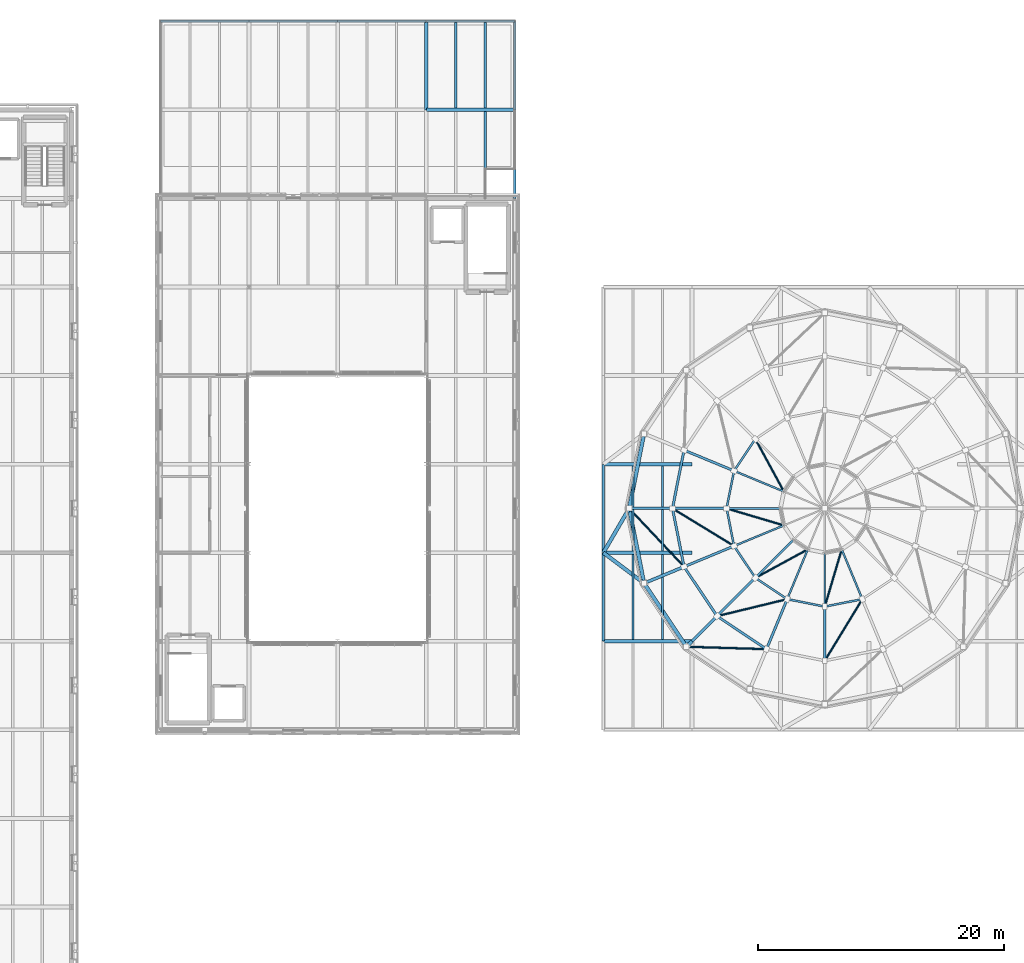
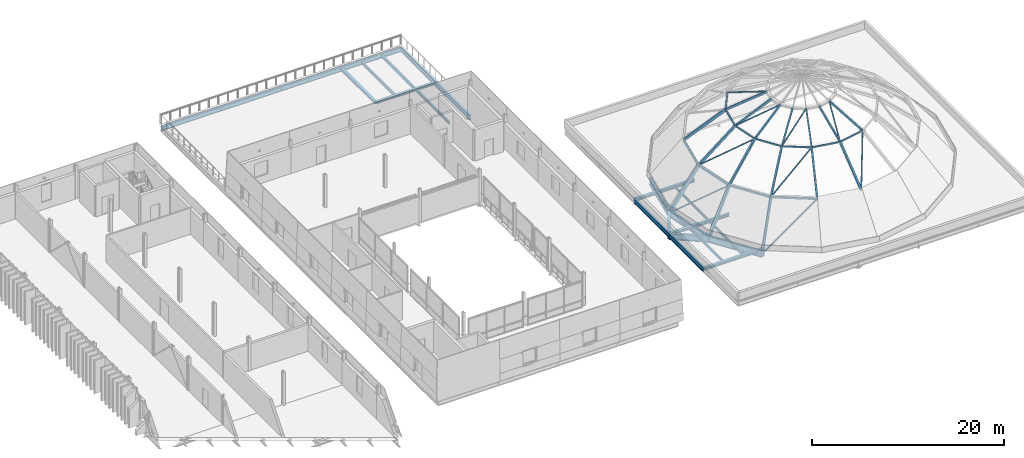
# One storey, part 13 of 66: 36 members, 26 beams.
"""IFC4 building model written with IfcOpenShell, lengths in metres."""

from ifc_helpers import new_model, si_unit, direction, frame, origin, origin_2d, place, context, subcontext, project, spatial, hollow_rectangle, hollow_circle, i_section, extrude, material, material_profile, profile_set, type_object, element, save


model = new_model("IFC4")

# Units and contexts
model_context = context("Model", 3, precision=1e-05, world=origin(), true_north=direction((0.0, 1.0)))
body_context = subcontext(model_context, "Body", "Model", "MODEL_VIEW")
ifc_project = project(units=[si_unit("LENGTHUNIT", "METRE"), si_unit("AREAUNIT", "SQUARE_METRE"), si_unit("VOLUMEUNIT", "CUBIC_METRE"), si_unit("PLANEANGLEUNIT", "RADIAN"), si_unit("MASSUNIT", "GRAM", prefix="KILO")], contexts=[model_context])

# Site, building, storey
site_placement = place(None, origin())
site = spatial("IfcSite", under=ifc_project, at=site_placement, CompositionType="ELEMENT")
building_placement = place(site_placement, origin())
building = spatial("IfcBuilding", under=site, at=building_placement, Name="Narikvali Park Central Library", CompositionType="ELEMENT")
storey_placement = place(building_placement, frame((0.0, 0.0, 18.60009765625)))
storey = spatial("IfcBuildingStorey", under=building, at=storey_placement, Name="L04", CompositionType="ELEMENT", Elevation=18.60009765625)

# Beams
ifc_material = material(Name="Steel S355", Category="steel")
ifc_material_profile_1 = material_profile(ifc_material, i_section(OverallWidth=0.300048828125, OverallDepth=0.800048828125, WebThickness=0.017578125, FlangeThickness=0.032958984375, FilletRadius=0.030029296875, at=origin_2d()), Name="HEB 800")
ifc_profile_set_1 = profile_set([ifc_material_profile_1], Name="Steel S355")
beam_type_1 = type_object("IfcBeamType", Name="Auditorium Long-Span Girder HEB800", PredefinedType="BEAM", material=ifc_profile_set_1)
beam_1_placement = place(storey_placement, frame((68.1103515625, 81.684814453125, -0.650146484375), z_axis=(-0.195109516878, -0.980781462113, 0.0), x_axis=(0.980781462113, -0.195109516878, 0.0)))
element("IfcBeam", 1, at=beam_1_placement, inside=storey, type_object=beam_type_1, Name="Dome Tension Ring Beam Segment 08", PredefinedType="BEAM", context=body_context, shape_type="SweptSolid", body=[
    extrude(i_section(OverallWidth=0.300048828125, OverallDepth=0.800048828125, WebThickness=0.017578125, FlangeThickness=0.032958984375, FilletRadius=0.030029296875, at=origin_2d()), origin(), (0.0, 0.0, 1.0), 6.203857421875),
])
beam_2_placement = place(storey_placement, frame((64.800048828125, 72.0, -0.650146484375), z_axis=(0.503834603144, 0.863800146258, 0.0), x_axis=(-0.863800146258, 0.503834603144, 0.0)))
element("IfcBeam", 2, at=beam_2_placement, inside=storey, type_object=beam_type_1, Name="Dome Radial Ring Support Girder 09", PredefinedType="BEAM", context=body_context, shape_type="SweptSolid", body=[
    extrude(i_section(OverallWidth=0.300048828125, OverallDepth=0.800048828125, WebThickness=0.017578125, FlangeThickness=0.032958984375, FilletRadius=0.030029296875, at=origin_2d()), origin(), (0.0, 0.0, 1.0), 4.167724609375),
])
beam_3_placement = place(storey_placement, frame((66.89990234375, 75.60009765625, -0.650146484375), z_axis=(0.195109516878, -0.980781462113, 0.0), x_axis=(0.980781462113, 0.195109516878, 0.0)))
element("IfcBeam", 3, at=beam_3_placement, inside=storey, type_object=beam_type_1, Name="Dome Tension Ring Beam Segment 09", PredefinedType="BEAM", context=body_context, shape_type="SweptSolid", body=[
    extrude(i_section(OverallWidth=0.300048828125, OverallDepth=0.800048828125, WebThickness=0.017578125, FlangeThickness=0.032958984375, FilletRadius=0.030029296875, at=origin_2d()), origin(), (0.0, 0.0, 1.0), 6.203857421875),
])
beam_4_placement = place(storey_placement, frame((64.800048828125, 72.0, -0.650146484375), z_axis=(0.799780521506, -0.60029252654, 0.0), x_axis=(0.60029252654, 0.799780521506, 0.0)))
element("IfcBeam", 4, at=beam_4_placement, inside=storey, type_object=beam_type_1, Name="Dome Radial Ring Support Girder 10", PredefinedType="BEAM", context=body_context, shape_type="SweptSolid", body=[
    extrude(i_section(OverallWidth=0.300048828125, OverallDepth=0.800048828125, WebThickness=0.017578125, FlangeThickness=0.032958984375, FilletRadius=0.030029296875, at=origin_2d()), origin(), (0.0, 0.0, 1.0), 4.138916015625),
])
beam_5_placement = place(storey_placement, frame((68.1103515625, 69.515380859375, -0.650146484375), z_axis=(0.555544483624, -0.831486816922, 0.0), x_axis=(0.831486816922, 0.555544483624, 0.0)))
element("IfcBeam", 5, at=beam_5_placement, inside=storey, type_object=beam_type_1, Name="Dome Tension Ring Beam Segment 10", PredefinedType="BEAM", context=body_context, shape_type="SweptSolid", body=[
    extrude(i_section(OverallWidth=0.300048828125, OverallDepth=0.800048828125, WebThickness=0.017578125, FlangeThickness=0.032958984375, FilletRadius=0.030029296875, at=origin_2d()), origin(), (0.0, 0.0, 1.0), 6.203857421875),
])
beam_6_placement = place(storey_placement, frame((72.0, 64.800048828125, -0.650146484375), z_axis=(-0.707106781187, -0.707106781187, 0.0), x_axis=(0.707106781187, -0.707106781187, 0.0)))
element("IfcBeam", 6, at=beam_6_placement, inside=storey, type_object=beam_type_1, Name="Dome Radial Ring Support Girder 11", PredefinedType="BEAM", context=body_context, shape_type="SweptSolid", body=[
    extrude(i_section(OverallWidth=0.300048828125, OverallDepth=0.800048828125, WebThickness=0.017578125, FlangeThickness=0.032958984375, FilletRadius=0.030029296875, at=origin_2d()), origin(), (0.0, 0.0, 1.0), 0.626708984375),
])
ifc_material_profile_2 = material_profile(ifc_material, i_section(OverallWidth=0.14990234375, OverallDepth=0.300048828125, WebThickness=0.007080078125, FlangeThickness=0.0107421875, FilletRadius=0.014892578125, at=origin_2d()), Name="IPE 300")
ifc_profile_set_2 = profile_set([ifc_material_profile_2], Name="Steel S355")
beam_type_2 = type_object("IfcBeamType", Name="Composite Floor Joist IPE300", PredefinedType="JOIST", material=ifc_profile_set_2)
for number, where, z_axis, x_axis, name in (
    (7, (67.199951171875, 64.949951171875, -0.39013671875), (0.0, 1.0, 0.0), (-1.0, 0.0, 0.0), "V1 L04 Composite Joist 1"),
    (8, (69.60009765625, 64.949951171875, -0.39013671875), (0.0, 1.0, 0.0), (-1.0, 0.0, 0.0), "V1 L04 Composite Joist 2"),
    (9, (67.199951171875, 72.14990234375, -0.39013671875), (0.0, 1.0, 0.0), (-1.0, 0.0, 0.0), "V1 L04 Composite Joist 1"),
    (10, (69.60009765625, 72.14990234375, -0.39013671875), (0.0, 1.0, 0.0), (-1.0, 0.0, 0.0), "V1 L04 Composite Joist 2"),
):
    element("IfcBeam", number, at=place(storey_placement, frame(where, z_axis=z_axis, x_axis=x_axis)), inside=storey, type_object=beam_type_2, Name=name, PredefinedType="JOIST", context=body_context, shape_type="SweptSolid", body=[
        extrude(i_section(OverallWidth=0.14990234375, OverallDepth=0.300048828125, WebThickness=0.007080078125, FlangeThickness=0.0107421875, FilletRadius=0.014892578125, at=origin_2d()), origin(), (0.0, 0.0, 1.0), 6.900146484375),
    ])
ifc_material_profile_3 = material_profile(ifc_material, i_section(OverallWidth=0.169921875, OverallDepth=0.360107421875, WebThickness=0.008056640625, FlangeThickness=0.0126953125, FilletRadius=0.01806640625, at=origin_2d()), Name="IPE 360")
ifc_profile_set_3 = profile_set([ifc_material_profile_3], Name="Steel S355")
beam_type_3 = type_object("IfcBeamType", Name="Composite Floor Joist IPE360", PredefinedType="JOIST", material=ifc_profile_set_3)
beam_7_placement = place(storey_placement, frame((55.199951171875, 100.949951171875, -0.52001953125), z_axis=(0.0, 1.0, 0.0), x_axis=(-1.0, 0.0, 0.0)))
element("IfcBeam", 11, at=beam_7_placement, inside=storey, type_object=beam_type_3, Name="V4 L04 Composite Joist 2", PredefinedType="JOIST", context=body_context, shape_type="SweptSolid", body=[
    extrude(i_section(OverallWidth=0.169921875, OverallDepth=0.360107421875, WebThickness=0.008056640625, FlangeThickness=0.0126953125, FilletRadius=0.01806640625, at=origin_2d()), origin(), (0.0, 0.0, 1.0), 6.900146484375),
])
for number, where, z_axis, x_axis, name in (
    (12, (52.800048828125, 108.14990234375, -0.52001953125), (0.0, 1.0, 0.0), (-1.0, 0.0, 0.0), "V4 L04 Composite Joist 1"),
    (13, (55.199951171875, 108.14990234375, -0.52001953125), (0.0, 1.0, 0.0), (-1.0, 0.0, 0.0), "V4 L04 Composite Joist 2"),
):
    element("IfcBeam", number, at=place(storey_placement, frame(where, z_axis=z_axis, x_axis=x_axis)), inside=storey, type_object=beam_type_3, Name=name, PredefinedType="JOIST", context=body_context, shape_type="SweptSolid", body=[
        extrude(i_section(OverallWidth=0.169921875, OverallDepth=0.360107421875, WebThickness=0.008056640625, FlangeThickness=0.0126953125, FilletRadius=0.01806640625, at=origin_2d()), origin(), (0.0, 0.0, 1.0), 6.945068359375),
    ])

# Members
ifc_material_profile_4 = material_profile(ifc_material, hollow_rectangle(XDim=0.25, YDim=0.35009765625, WallThickness=0.012451171875, at=origin_2d()), Name="RHS 350x250x12.5")
ifc_profile_set_4 = profile_set([ifc_material_profile_4], Name="Steel S355")
member_type_1 = type_object("IfcMemberType", Name="Dome Base Arch Rib RHS350x250", PredefinedType="STRUT", material=ifc_profile_set_4)
for number, where, z_axis, x_axis, name in (
    (14, (68.1103515625, 69.515380859375, -0.650146484375), (0.544119487971, 0.225368409545, 0.80817266892), (-0.382664211899, 0.923887493655, 0.0), "Main Reading Room Dome Meridional Rib T1-10"),
    (15, (71.556884765625, 64.35693359375, -0.650146484375), (0.416458142345, 0.416458142345, 0.808161636895), (-0.707106781187, 0.707106781187, 0.0), "Main Reading Room Dome Meridional Rib T1-11"),
):
    element("IfcMember", number, at=place(storey_placement, frame(where, z_axis=z_axis, x_axis=x_axis)), inside=storey, type_object=member_type_1, Name=name, PredefinedType="STRUT", context=body_context, shape_type="SweptSolid", body=[
        extrude(hollow_rectangle(XDim=0.25, YDim=0.35009765625, WallThickness=0.012451171875, at=origin_2d()), origin(), (0.0, 0.0, 1.0), 5.9765625),
    ])
ifc_material_profile_5 = material_profile(ifc_material, hollow_rectangle(XDim=0.199951171875, YDim=0.39990234375, WallThickness=0.01416015625, at=origin_2d()), Name="RHS 400x200x14.2")
ifc_profile_set_5 = profile_set([ifc_material_profile_5], Name="Steel S355")
member_type_2 = type_object("IfcMemberType", Name="Dome Cardinal Base Rib RHS400x200", PredefinedType="STRUT", material=ifc_profile_set_5)
member_1_placement = place(storey_placement, frame((66.89990234375, 75.60009765625, -0.650146484375), z_axis=(0.588963227106, 0.0, 0.808159833892), x_axis=(0.0, 1.0, 0.0)))
element("IfcMember", 16, at=member_1_placement, inside=storey, type_object=member_type_2, Name="Main Reading Room Dome Meridional Rib T1-09", PredefinedType="STRUT", context=body_context, shape_type="SweptSolid", body=[
    extrude(hollow_rectangle(XDim=0.199951171875, YDim=0.39990234375, WallThickness=0.01416015625, at=origin_2d()), origin(), (0.0, 0.0, 1.0), 5.9765625),
])
ifc_material_profile_6 = material_profile(ifc_material, hollow_rectangle(XDim=0.199951171875, YDim=0.199951171875, WallThickness=0.012451171875, at=origin_2d()), Name="SHS 200x200x12.5")
ifc_profile_set_6 = profile_set([ifc_material_profile_6], Name="Steel S355")
member_type_3 = type_object("IfcMemberType", Name="Dome Hoop Ring Purlin SHS200x200", PredefinedType="PURLIN", material=ifc_profile_set_6)
member_2_placement = place(storey_placement, frame((71.3623046875, 80.337646484375, 4.179931640625), z_axis=(-0.195095451873, -0.980784259997, 0.0), x_axis=(0.980784259997, -0.195095451873, 0.0)))
element("IfcMember", 17, at=member_2_placement, inside=storey, type_object=member_type_3, Name="Main Reading Room Dome Hoop Ring T1-08", PredefinedType="PURLIN", context=body_context, shape_type="SweptSolid", body=[
    extrude(hollow_rectangle(XDim=0.199951171875, YDim=0.199951171875, WallThickness=0.012451171875, at=origin_2d()), origin(), (0.0, 0.0, 1.0), 4.830322265625),
])
member_3_placement = place(storey_placement, frame((70.419921875, 75.60009765625, 4.179931640625), z_axis=(0.19508578114, -0.980786183629, 0.0), x_axis=(0.980786183629, 0.19508578114, 0.0)))
element("IfcMember", 18, at=member_3_placement, inside=storey, type_object=member_type_3, Name="Main Reading Room Dome Hoop Ring T1-09", PredefinedType="PURLIN", context=body_context, shape_type="SweptSolid", body=[
    extrude(hollow_rectangle(XDim=0.199951171875, YDim=0.199951171875, WallThickness=0.012451171875, at=origin_2d()), origin(), (0.0, 0.0, 1.0), 4.83056640625),
])
member_4_placement = place(storey_placement, frame((71.3623046875, 70.8623046875, 4.179931640625), z_axis=(0.55556300793, -0.831474439907, 0.0), x_axis=(0.831474439907, 0.55556300793, 0.0)))
element("IfcMember", 19, at=member_4_placement, inside=storey, type_object=member_type_3, Name="Main Reading Room Dome Hoop Ring T1-10", PredefinedType="PURLIN", context=body_context, shape_type="SweptSolid", body=[
    extrude(hollow_rectangle(XDim=0.199951171875, YDim=0.199951171875, WallThickness=0.012451171875, at=origin_2d()), origin(), (0.0, 0.0, 1.0), 4.830322265625),
])
member_5_placement = place(storey_placement, frame((74.0458984375, 66.845947265625, 4.179931640625), z_axis=(0.831490038875, -0.555539661276, 0.0), x_axis=(0.555539661276, 0.831490038875, 0.0)))
element("IfcMember", 20, at=member_5_placement, inside=storey, type_object=member_type_3, Name="Main Reading Room Dome Hoop Ring T1-11", PredefinedType="PURLIN", context=body_context, shape_type="SweptSolid", body=[
    extrude(hollow_rectangle(XDim=0.199951171875, YDim=0.199951171875, WallThickness=0.012451171875, at=origin_2d()), origin(), (0.0, 0.0, 1.0), 4.83056640625),
])
ifc_material_profile_7 = material_profile(ifc_material, hollow_circle(Radius=0.084228515625, WallThickness=0.010009765625, at=origin_2d()), Name="CHS 168.3x10")
ifc_profile_set_7 = profile_set([ifc_material_profile_7], Name="Steel S355")
member_type_4 = type_object("IfcMemberType", Name="Dome Lower Wind Brace CHS168x10", PredefinedType="BRACE", material=ifc_profile_set_7)
for number, where, z_axis, x_axis, name in (
    (21, (66.89990234375, 75.60009765625, -0.650146484375), (0.550580938083, -0.584559234294, 0.595945578238), (0.72794665483, 0.685633770844, 0.0), "Dome Wind Diagonal Brace T1-09"),
    (22, (71.556884765625, 64.35693359375, -0.650146484375), (0.802669829609, -0.024007500064, 0.595940252523), (0.029896188997, 0.999553009041, 0.0), "Dome Wind Diagonal Brace T1-11"),
):
    element("IfcMember", number, at=place(storey_placement, frame(where, z_axis=z_axis, x_axis=x_axis)), inside=storey, type_object=member_type_4, Name=name, PredefinedType="BRACE", context=body_context, shape_type="SweptSolid", body=[
        extrude(hollow_circle(Radius=0.084228515625, WallThickness=0.010009765625, at=origin_2d()), origin(), (0.0, 0.0, 1.0), 8.10498046875),
    ])
ifc_material_profile_8 = material_profile(ifc_material, hollow_rectangle(XDim=0.199951171875, YDim=0.300048828125, WallThickness=0.012451171875, at=origin_2d()), Name="RHS 300x200x12.5")
ifc_profile_set_8 = profile_set([ifc_material_profile_8], Name="Steel S355")
member_type_5 = type_object("IfcMemberType", Name="Dome Meridional Arch Rib RHS300x200", PredefinedType="STRUT", material=ifc_profile_set_8)
member_6_placement = place(storey_placement, frame((71.3623046875, 80.337646484375, 4.179931640625), z_axis=(0.726245955882, -0.300817870261, 0.618122496352), x_axis=(0.382680115921, 0.92388090622, 0.0)))
element("IfcMember", 23, at=member_6_placement, inside=storey, type_object=member_type_5, Name="Main Reading Room Dome Meridional Rib T2-08", PredefinedType="STRUT", context=body_context, shape_type="SweptSolid", body=[
    extrude(hollow_rectangle(XDim=0.199951171875, YDim=0.300048828125, WallThickness=0.012451171875, at=origin_2d()), origin(), (0.0, 0.0, 1.0), 5.597412109375),
])
member_7_placement = place(storey_placement, frame((70.419921875, 75.60009765625, 4.179931640625), z_axis=(0.786083693581, 0.0, 0.618120074651), x_axis=(0.0, 1.0, 0.0)))
element("IfcMember", 24, at=member_7_placement, inside=storey, type_object=member_type_5, Name="Main Reading Room Dome Meridional Rib T2-09", PredefinedType="STRUT", context=body_context, shape_type="SweptSolid", body=[
    extrude(hollow_rectangle(XDim=0.199951171875, YDim=0.300048828125, WallThickness=0.012451171875, at=origin_2d()), origin(), (0.0, 0.0, 1.0), 5.59765625),
])
for number, where, z_axis, x_axis, name in (
    (25, (71.3623046875, 70.8623046875, 4.179931640625), (0.726245955882, 0.300817870261, 0.618122496352), (-0.382680115921, 0.92388090622, 0.0), "Main Reading Room Dome Meridional Rib T2-10"),
    (26, (74.0458984375, 66.845947265625, 4.179931640625), (0.555842018751, 0.555842018751, 0.618125634788), (-0.707106781187, 0.707106781187, 0.0), "Main Reading Room Dome Meridional Rib T2-11"),
):
    element("IfcMember", number, at=place(storey_placement, frame(where, z_axis=z_axis, x_axis=x_axis)), inside=storey, type_object=member_type_5, Name=name, PredefinedType="STRUT", context=body_context, shape_type="SweptSolid", body=[
        extrude(hollow_rectangle(XDim=0.199951171875, YDim=0.300048828125, WallThickness=0.012451171875, at=origin_2d()), origin(), (0.0, 0.0, 1.0), 5.597412109375),
    ])
member_8_placement = place(storey_placement, frame((78.0625, 64.162353515625, 4.179931640625), z_axis=(0.300787728371, 0.72623487201, 0.618150186554), x_axis=(-0.923892397959, 0.38265237095, 0.0)))
element("IfcMember", 27, at=member_8_placement, inside=storey, type_object=member_type_5, Name="Main Reading Room Dome Meridional Rib T2-12", PredefinedType="STRUT", context=body_context, shape_type="SweptSolid", body=[
    extrude(hollow_rectangle(XDim=0.199951171875, YDim=0.300048828125, WallThickness=0.012451171875, at=origin_2d()), origin(), (0.0, 0.0, 1.0), 5.59716796875),
])
member_9_placement = place(storey_placement, frame((82.800048828125, 63.219970703125, 4.179931640625), z_axis=(0.0, 0.786083693581, 0.618120074651), x_axis=(-1.0, 0.0, 0.0)))
element("IfcMember", 28, at=member_9_placement, inside=storey, type_object=member_type_5, Name="Main Reading Room Dome Meridional Rib T2-13", PredefinedType="STRUT", context=body_context, shape_type="SweptSolid", body=[
    extrude(hollow_rectangle(XDim=0.199951171875, YDim=0.300048828125, WallThickness=0.012451171875, at=origin_2d()), origin(), (0.0, 0.0, 1.0), 5.59765625),
])
ifc_material_profile_9 = material_profile(ifc_material, hollow_rectangle(XDim=0.14990234375, YDim=0.25, WallThickness=0.010009765625, at=origin_2d()), Name="RHS 250x150x10")
ifc_profile_set_9 = profile_set([ifc_material_profile_9], Name="Steel S355")
member_type_6 = type_object("IfcMemberType", Name="Dome Upper Arch Rib RHS250x150", PredefinedType="STRUT", material=ifc_profile_set_9)
member_10_placement = place(storey_placement, frame((75.427490234375, 78.65380859375, 7.639892578125), z_axis=(0.847586755563, -0.351051769348, 0.397943899354), x_axis=(0.38265537139, 0.923891155249, 0.0)))
element("IfcMember", 29, at=member_10_placement, inside=storey, type_object=member_type_6, Name="Main Reading Room Dome Meridional Rib T3-08", PredefinedType="STRUT", context=body_context, shape_type="SweptSolid", body=[
    extrude(hollow_rectangle(XDim=0.14990234375, YDim=0.25, WallThickness=0.010009765625, at=origin_2d()), origin(), (0.0, 0.0, 1.0), 4.7744140625),
])
member_11_placement = place(storey_placement, frame((74.820068359375, 75.60009765625, 7.639892578125), z_axis=(0.917406310036, 0.0, 0.397951834153), x_axis=(0.0, 1.0, 0.0)))
element("IfcMember", 30, at=member_11_placement, inside=storey, type_object=member_type_6, Name="Main Reading Room Dome Meridional Rib T3-09", PredefinedType="STRUT", context=body_context, shape_type="SweptSolid", body=[
    extrude(hollow_rectangle(XDim=0.14990234375, YDim=0.25, WallThickness=0.010009765625, at=origin_2d()), origin(), (0.0, 0.0, 1.0), 4.774169921875),
])
for number, where, z_axis, x_axis, name in (
    (31, (75.427490234375, 72.546142578125, 7.639892578125), (0.847571539374, 0.351096602675, 0.397936755319), (-0.382702948164, 0.923871448561, 0.0), "Main Reading Room Dome Meridional Rib T3-10"),
    (32, (77.1572265625, 69.957275390625, 7.639892578125), (0.648708307127, 0.648708307127, 0.397938518529), (-0.707106781187, 0.707106781187, 0.0), "Main Reading Room Dome Meridional Rib T3-11"),
    (33, (79.74609375, 68.227294921875, 7.639892578125), (0.351096602675, 0.847571539374, 0.397936755319), (-0.923871448561, 0.382702948164, 0.0), "Main Reading Room Dome Meridional Rib T3-12"),
):
    element("IfcMember", number, at=place(storey_placement, frame(where, z_axis=z_axis, x_axis=x_axis)), inside=storey, type_object=member_type_6, Name=name, PredefinedType="STRUT", context=body_context, shape_type="SweptSolid", body=[
        extrude(hollow_rectangle(XDim=0.14990234375, YDim=0.25, WallThickness=0.010009765625, at=origin_2d()), origin(), (0.0, 0.0, 1.0), 4.7744140625),
    ])
member_12_placement = place(storey_placement, frame((82.800048828125, 67.6201171875, 7.639892578125), z_axis=(0.0, 0.917406310036, 0.397951834153), x_axis=(-1.0, 0.0, 0.0)))
element("IfcMember", 34, at=member_12_placement, inside=storey, type_object=member_type_6, Name="Main Reading Room Dome Meridional Rib T3-13", PredefinedType="STRUT", context=body_context, shape_type="SweptSolid", body=[
    extrude(hollow_rectangle(XDim=0.14990234375, YDim=0.25, WallThickness=0.010009765625, at=origin_2d()), origin(), (0.0, 0.0, 1.0), 4.774169921875),
])
member_13_placement = place(storey_placement, frame((85.853759765625, 68.227294921875, 7.639892578125), z_axis=(-0.351051769348, 0.847586755563, 0.397943899354), x_axis=(-0.923891155249, -0.38265537139, 0.0)))
element("IfcMember", 35, at=member_13_placement, inside=storey, type_object=member_type_6, Name="Main Reading Room Dome Meridional Rib T3-14", PredefinedType="STRUT", context=body_context, shape_type="SweptSolid", body=[
    extrude(hollow_rectangle(XDim=0.14990234375, YDim=0.25, WallThickness=0.010009765625, at=origin_2d()), origin(), (0.0, 0.0, 1.0), 4.7744140625),
])
ifc_material_profile_10 = material_profile(ifc_material, hollow_rectangle(XDim=0.159912109375, YDim=0.159912109375, WallThickness=0.010009765625, at=origin_2d()), Name="SHS 160x160x10")
ifc_profile_set_10 = profile_set([ifc_material_profile_10], Name="Steel S355")
member_type_7 = type_object("IfcMemberType", Name="Dome Upper Hoop Purlin SHS160x160", PredefinedType="PURLIN", material=ifc_profile_set_10)
for number, where, z_axis, x_axis, name in (
    (36, (77.1572265625, 81.24267578125, 7.639892578125), (-0.555550377152, -0.831482879226, 0.0), (0.831482879226, -0.555550377152, 0.0), "Main Reading Room Dome Hoop Ring T2-07"),
    (37, (75.427490234375, 78.65380859375, 7.639892578125), (-0.195090631937, -0.980785218756, 0.0), (0.980785218756, -0.195090631937, 0.0), "Main Reading Room Dome Hoop Ring T2-08"),
):
    element("IfcMember", number, at=place(storey_placement, frame(where, z_axis=z_axis, x_axis=x_axis)), inside=storey, type_object=member_type_7, Name=name, PredefinedType="PURLIN", context=body_context, shape_type="SweptSolid", body=[
        extrude(hollow_rectangle(XDim=0.159912109375, YDim=0.159912109375, WallThickness=0.010009765625, at=origin_2d()), origin(), (0.0, 0.0, 1.0), 3.113525390625),
    ])
member_14_placement = place(storey_placement, frame((74.820068359375, 75.60009765625, 7.639892578125), z_axis=(0.195075629437, -0.980788202825, 0.0), x_axis=(0.980788202825, 0.195075629437, 0.0)))
element("IfcMember", 38, at=member_14_placement, inside=storey, type_object=member_type_7, Name="Main Reading Room Dome Hoop Ring T2-09", PredefinedType="PURLIN", context=body_context, shape_type="SweptSolid", body=[
    extrude(hollow_rectangle(XDim=0.159912109375, YDim=0.159912109375, WallThickness=0.010009765625, at=origin_2d()), origin(), (0.0, 0.0, 1.0), 3.11376953125),
])
member_15_placement = place(storey_placement, frame((75.427490234375, 72.546142578125, 7.639892578125), z_axis=(0.555550377152, -0.831482879226, 0.0), x_axis=(0.831482879226, 0.555550377152, 0.0)))
element("IfcMember", 39, at=member_15_placement, inside=storey, type_object=member_type_7, Name="Main Reading Room Dome Hoop Ring T2-10", PredefinedType="PURLIN", context=body_context, shape_type="SweptSolid", body=[
    extrude(hollow_rectangle(XDim=0.159912109375, YDim=0.159912109375, WallThickness=0.010009765625, at=origin_2d()), origin(), (0.0, 0.0, 1.0), 3.113525390625),
])
for number, where, z_axis, x_axis, name in (
    (40, (77.1572265625, 69.957275390625, 7.639892578125), (0.831446658044, -0.555604584959, 0.0), (0.555604584959, 0.831446658044, 0.0), "Main Reading Room Dome Hoop Ring T2-11"),
    (41, (79.74609375, 68.227294921875, 7.639892578125), (0.980803201523, -0.195000204827, 0.0), (0.195000204827, 0.980803201523, 0.0), "Main Reading Room Dome Hoop Ring T2-12"),
):
    element("IfcMember", number, at=place(storey_placement, frame(where, z_axis=z_axis, x_axis=x_axis)), inside=storey, type_object=member_type_7, Name=name, PredefinedType="PURLIN", context=body_context, shape_type="SweptSolid", body=[
        extrude(hollow_rectangle(XDim=0.159912109375, YDim=0.159912109375, WallThickness=0.010009765625, at=origin_2d()), origin(), (0.0, 0.0, 1.0), 3.11376953125),
    ])
member_16_placement = place(storey_placement, frame((82.800048828125, 67.6201171875, 7.639892578125), z_axis=(0.980800219716, 0.195015201985, 0.0), x_axis=(-0.195015201985, 0.980800219716, 0.0)))
element("IfcMember", 42, at=member_16_placement, inside=storey, type_object=member_type_7, Name="Main Reading Room Dome Hoop Ring T2-13", PredefinedType="PURLIN", context=body_context, shape_type="SweptSolid", body=[
    extrude(hollow_rectangle(XDim=0.159912109375, YDim=0.159912109375, WallThickness=0.010009765625, at=origin_2d()), origin(), (0.0, 0.0, 1.0), 3.113525390625),
])
ifc_material_profile_11 = material_profile(ifc_material, hollow_circle(Radius=0.084228515625, WallThickness=0.008056640625, at=origin_2d()), Name="CHS 168.3x8")
ifc_profile_set_11 = profile_set([ifc_material_profile_11], Name="Steel S355")
member_type_8 = type_object("IfcMemberType", Name="Dome Wind Diagonal Brace CHS168", PredefinedType="BRACE", material=ifc_profile_set_11)
member_17_placement = place(storey_placement, frame((70.419921875, 75.60009765625, 4.179931640625), z_axis=(0.735344681275, -0.448463098731, 0.508083702551), x_axis=(0.520676988723, 0.853753754553, 0.0)))
element("IfcMember", 43, at=member_17_placement, inside=storey, type_object=member_type_8, Name="Dome Wind Diagonal Brace T2-09", PredefinedType="BRACE", context=body_context, shape_type="SweptSolid", body=[
    extrude(hollow_circle(Radius=0.084228515625, WallThickness=0.008056640625, at=origin_2d()), origin(), (0.0, 0.0, 1.0), 6.809814453125),
])
for number, where, z_axis, x_axis, name in (
    (44, (74.0458984375, 66.845947265625, 4.179931640625), (0.837072997569, 0.202850737547, 0.508094848447), (-0.235516629506, 0.971870319141, 0.0), "Dome Wind Diagonal Brace T2-11"),
    (45, (82.800048828125, 63.219970703125, 4.179931640625), (0.448446279819, 0.735340038302, 0.508105266836), (-0.853760973576, 0.520665151511, 0.0), "Dome Wind Diagonal Brace T2-13"),
):
    element("IfcMember", number, at=place(storey_placement, frame(where, z_axis=z_axis, x_axis=x_axis)), inside=storey, type_object=member_type_8, Name=name, PredefinedType="BRACE", context=body_context, shape_type="SweptSolid", body=[
        extrude(hollow_circle(Radius=0.084228515625, WallThickness=0.008056640625, at=origin_2d()), origin(), (0.0, 0.0, 1.0), 6.8095703125),
    ])
for number, where, z_axis, x_axis, name in (
    (46, (77.1572265625, 81.24267578125, 7.639892578125), (0.444514487092, -0.8182532745, 0.364511247476), (0.878709370718, 0.477357142831, 0.0), "Dome Wind Diagonal Brace T3-07"),
    (47, (74.820068359375, 75.60009765625, 7.639892578125), (0.89290167708, -0.264315383925, 0.364505106806), (0.283843416699, 0.958870645497, 0.0), "Dome Wind Diagonal Brace T3-09"),
):
    element("IfcMember", number, at=place(storey_placement, frame(where, z_axis=z_axis, x_axis=x_axis)), inside=storey, type_object=member_type_8, Name=name, PredefinedType="BRACE", context=body_context, shape_type="SweptSolid", body=[
        extrude(hollow_circle(Radius=0.084228515625, WallThickness=0.008056640625, at=origin_2d()), origin(), (0.0, 0.0, 1.0), 5.212158203125),
    ])
member_18_placement = place(storey_placement, frame((77.1572265625, 69.957275390625, 7.639892578125), z_axis=(0.818285788191, 0.444459865149, 0.364504865696), x_axis=(-0.477297204763, 0.878741929309, 0.0)))
element("IfcMember", 48, at=member_18_placement, inside=storey, type_object=member_type_8, Name="Dome Wind Diagonal Brace T3-11", PredefinedType="BRACE", context=body_context, shape_type="SweptSolid", body=[
    extrude(hollow_circle(Radius=0.084228515625, WallThickness=0.008056640625, at=origin_2d()), origin(), (0.0, 0.0, 1.0), 5.21240234375),
])
member_19_placement = place(storey_placement, frame((82.800048828125, 67.6201171875, 7.639892578125), z_axis=(0.264326438813, 0.892892180869, 0.364520352089), x_axis=(-0.958866592672, 0.283857107462, 0.0)))
element("IfcMember", 49, at=member_19_placement, inside=storey, type_object=member_type_8, Name="Dome Wind Diagonal Brace T3-13", PredefinedType="BRACE", context=body_context, shape_type="SweptSolid", body=[
    extrude(hollow_circle(Radius=0.084228515625, WallThickness=0.008056640625, at=origin_2d()), origin(), (0.0, 0.0, 1.0), 5.212158203125),
])

# Beams
ifc_material_profile_12 = material_profile(ifc_material, i_section(OverallWidth=0.2099609375, OverallDepth=0.550048828125, WebThickness=0.010986328125, FlangeThickness=0.01708984375, FilletRadius=0.02392578125, at=origin_2d()), Name="IPE 550")
ifc_profile_set_12 = profile_set([ifc_material_profile_12], Name="Steel S355")
beam_type_4 = type_object("IfcBeamType", Name="Perimeter Spandrel IPE550", PredefinedType="SPANDREL", material=ifc_profile_set_12)
for number, where, z_axis, x_axis, name in (
    (50, (64.800048828125, 64.80810546875, -0.51513671875), (0.0, 1.0, 0.0), (-1.0, 0.0, 0.0), "V1 L04 Girder Y"),
    (51, (64.800048828125, 72.008056640625, -0.51513671875), (0.0, 1.0, 0.0), (-1.0, 0.0, 0.0), "V1 L04 Girder Y"),
    (52, (28.80810546875, 115.199951171875, -0.614990234375), (1.0, 0.0, 0.0), (0.0, 1.0, 0.0), "V4 L04 Girder X"),
    (53, (36.008056640625, 115.199951171875, -0.614990234375), (1.0, 0.0, 0.0), (0.0, 1.0, 0.0), "V4 L04 Girder X"),
):
    element("IfcBeam", number, at=place(storey_placement, frame(where, z_axis=z_axis, x_axis=x_axis)), inside=storey, type_object=beam_type_4, Name=name, PredefinedType="SPANDREL", context=body_context, shape_type="SweptSolid", body=[
        extrude(i_section(OverallWidth=0.2099609375, OverallDepth=0.550048828125, WebThickness=0.010986328125, FlangeThickness=0.01708984375, FilletRadius=0.02392578125, at=origin_2d()), origin(), (0.0, 0.0, 1.0), 7.183837890625),
    ])
for number, where, z_axis, x_axis, name in (
    (54, (43.2080078125, 115.199951171875, -0.614990234375), (1.0, 0.0, 0.0), (0.0, 1.0, 0.0), "V4 L04 Girder X"),
    (55, (50.407958984375, 115.199951171875, -0.614990234375), (1.0, 0.0, 0.0), (0.0, 1.0, 0.0), "V4 L04 Girder X"),
):
    element("IfcBeam", number, at=place(storey_placement, frame(where, z_axis=z_axis, x_axis=x_axis)), inside=storey, type_object=beam_type_4, Name=name, PredefinedType="SPANDREL", context=body_context, shape_type="SweptSolid", body=[
        extrude(i_section(OverallWidth=0.2099609375, OverallDepth=0.550048828125, WebThickness=0.010986328125, FlangeThickness=0.01708984375, FilletRadius=0.02392578125, at=origin_2d()), origin(), (0.0, 0.0, 1.0), 7.18408203125),
    ])
for number, where, z_axis, x_axis, name in (
    (56, (57.60009765625, 100.80810546875, -0.614990234375), (0.0, 1.0, 0.0), (-1.0, 0.0, 0.0), "V4 L04 Girder Y"),
    (57, (57.60009765625, 108.008056640625, -0.614990234375), (0.0, 1.0, 0.0), (-1.0, 0.0, 0.0), "V4 L04 Girder Y"),
):
    element("IfcBeam", number, at=place(storey_placement, frame(where, z_axis=z_axis, x_axis=x_axis)), inside=storey, type_object=beam_type_4, Name=name, PredefinedType="SPANDREL", context=body_context, shape_type="SweptSolid", body=[
        extrude(i_section(OverallWidth=0.2099609375, OverallDepth=0.550048828125, WebThickness=0.010986328125, FlangeThickness=0.01708984375, FilletRadius=0.02392578125, at=origin_2d()), origin(), (0.0, 0.0, 1.0), 7.183837890625),
    ])
ifc_material_profile_13 = material_profile(ifc_material, i_section(OverallWidth=0.300048828125, OverallDepth=0.31005859375, WebThickness=0.009033203125, FlangeThickness=0.015380859375, FilletRadius=0.027099609375, at=origin_2d()), Name="HEA 320")
ifc_profile_set_13 = profile_set([ifc_material_profile_13], Name="Steel S355")
beam_type_5 = type_object("IfcBeamType", Name="Primary Girder HEA320", PredefinedType="BEAM", material=ifc_profile_set_13)
beam_8_placement = place(storey_placement, frame((50.407958984375, 108.0, -0.4951171875), z_axis=(1.0, 0.0, 0.0), x_axis=(0.0, 1.0, 0.0)))
element("IfcBeam", 58, at=beam_8_placement, inside=storey, type_object=beam_type_5, Name="V4 L04 Girder X", PredefinedType="BEAM", context=body_context, shape_type="SweptSolid", body=[
    extrude(i_section(OverallWidth=0.300048828125, OverallDepth=0.31005859375, WebThickness=0.009033203125, FlangeThickness=0.015380859375, FilletRadius=0.027099609375, at=origin_2d()), origin(), (0.0, 0.0, 1.0), 7.18408203125),
])
ifc_material_profile_14 = material_profile(ifc_material, i_section(OverallWidth=0.300048828125, OverallDepth=0.35009765625, WebThickness=0.010009765625, FlangeThickness=0.017578125, FilletRadius=0.027099609375, at=origin_2d()), Name="HEA 360")
ifc_profile_set_14 = profile_set([ifc_material_profile_14], Name="Steel S355")
beam_type_6 = type_object("IfcBeamType", Name="Primary Girder HEA360", PredefinedType="BEAM", material=ifc_profile_set_14)
beam_9_placement = place(storey_placement, frame((50.39990234375, 108.008056640625, -0.51513671875), z_axis=(0.0, 1.0, 0.0), x_axis=(-1.0, 0.0, 0.0)))
element("IfcBeam", 59, at=beam_9_placement, inside=storey, type_object=beam_type_6, Name="V4 L04 Girder Y", PredefinedType="BEAM", context=body_context, shape_type="SweptSolid", body=[
    extrude(i_section(OverallWidth=0.300048828125, OverallDepth=0.35009765625, WebThickness=0.010009765625, FlangeThickness=0.017578125, FilletRadius=0.027099609375, at=origin_2d()), origin(), (0.0, 0.0, 1.0), 7.183837890625),
])
ifc_material_profile_15 = material_profile(ifc_material, i_section(OverallWidth=0.300048828125, OverallDepth=0.360107421875, WebThickness=0.012451171875, FlangeThickness=0.0224609375, FilletRadius=0.027099609375, at=origin_2d()), Name="HEB 360")
ifc_profile_set_15 = profile_set([ifc_material_profile_15], Name="Steel S355")
beam_type_7 = type_object("IfcBeamType", Name="Upper Gallery Girder HEB360", PredefinedType="BEAM", material=ifc_profile_set_15)
for number, where, z_axis, x_axis, name in (
    (60, (64.80810546875, 64.800048828125, -0.420166015625), (1.0, 0.0, 0.0), (0.0, 1.0, 0.0), "V1 L04 Girder X"),
    (61, (64.80810546875, 72.0, -0.420166015625), (1.0, 0.0, 0.0), (0.0, 1.0, 0.0), "V1 L04 Girder X"),
    (62, (64.80810546875, 79.199951171875, -0.420166015625), (1.0, 0.0, 0.0), (0.0, 1.0, 0.0), "V1 L04 Girder X"),
):
    element("IfcBeam", number, at=place(storey_placement, frame(where, z_axis=z_axis, x_axis=x_axis)), inside=storey, type_object=beam_type_7, Name=name, PredefinedType="BEAM", context=body_context, shape_type="SweptSolid", body=[
        extrude(i_section(OverallWidth=0.300048828125, OverallDepth=0.360107421875, WebThickness=0.012451171875, FlangeThickness=0.0224609375, FilletRadius=0.027099609375, at=origin_2d()), origin(), (0.0, 0.0, 1.0), 7.183837890625),
    ])

save(model, "model.ifc")
